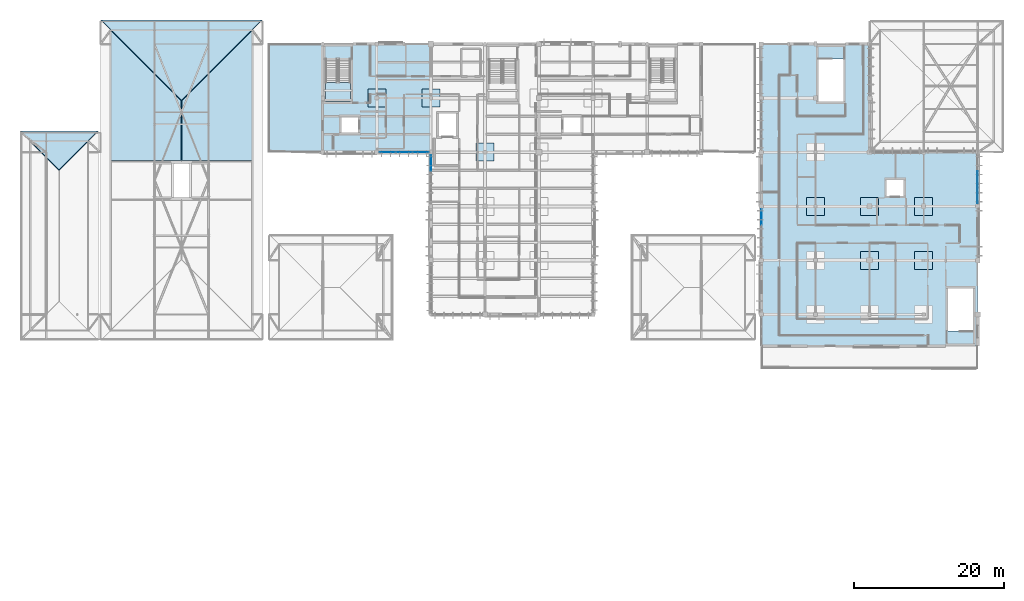
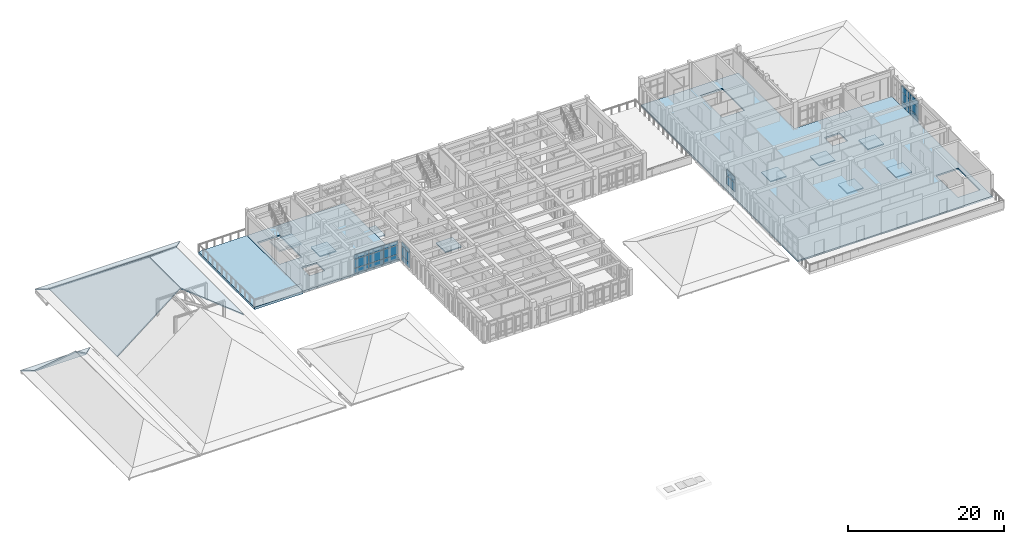
# One storey, part 25 of 51: 20 plates, 18 slabs, 7 elements without a shape of their own.
"""IFC4 building model written with IfcOpenShell, lengths in metres."""

from ifc_helpers import new_model, si_unit, direction, frame, origin, origin_2d, place, context, subcontext, project, spatial, polyline, rectangle, outline, extrude, material, layer, layer_set, type_object, element, aggregate, save


model = new_model("IFC4")

# Units and contexts
model_context = context("Model", 3, precision=1e-05, world=origin(), true_north=direction((0.0, 1.0)))
body_context = subcontext(model_context, "Body", "Model", "MODEL_VIEW")
ifc_project = project(units=[si_unit("LENGTHUNIT", "METRE"), si_unit("AREAUNIT", "SQUARE_METRE"), si_unit("VOLUMEUNIT", "CUBIC_METRE"), si_unit("PLANEANGLEUNIT", "RADIAN"), si_unit("MASSUNIT", "GRAM", prefix="KILO")], contexts=[model_context])

# Site, building, storey
site_placement = place(None, origin())
site = spatial("IfcSite", under=ifc_project, at=site_placement, CompositionType="ELEMENT")
building_placement = place(site_placement, origin())
building = spatial("IfcBuilding", under=site, at=building_placement, Name="Steenspoor Specialist Clinic", CompositionType="ELEMENT")
storey_placement = place(building_placement, frame((0.0, 0.0, 17.39990234375)))
storey = spatial("IfcBuildingStorey", under=building, at=storey_placement, Name="L04", CompositionType="ELEMENT", Elevation=17.39990234375)

# Curtain wall, plates
ifc_material_1 = material(Name="Thermally broken aluminium and low-emissivity glass", Category="aluminium")
curtain_wall_type_1 = type_object("IfcCurtainWallType", Name="CW-L00-480X415", PredefinedType="USERDEFINED", material=ifc_material_1)
curtain_wall_1_placement = place(storey_placement, origin())
curtain_wall_1 = element("IfcCurtainWall", 1, at=curtain_wall_1_placement, inside=storey, type_object=curtain_wall_type_1, Name="Unitised Curtain Wall CW-V4-L04-126", ObjectType="UNITISED GLAZING", PredefinedType="USERDEFINED")
ifc_material_2 = material(Name="Double low-emissivity insulated glass", Category="glass")
ifc_layer_1 = layer(ifc_material_2, 0.035888671875)
ifc_layer_set_1 = layer_set([ifc_layer_1], Name="Double low-emissivity insulated glass")
plate_type_1 = type_object("IfcPlateType", Name="CW-PAN-GL36", PredefinedType="CURTAIN_PANEL", material=ifc_layer_set_1)
plate_1_placement = place(storey_placement, frame((72.642578125, 93.949951171875, 0.070068359375), z_axis=(0.0, 0.0, 1.0), x_axis=(-1.0, 0.0, 0.0)))
plate_1 = element("IfcPlate", 2, at=plate_1_placement, type_object=plate_type_1, Name="CW-06 panel 1.1", PredefinedType="CURTAIN_PANEL", context=body_context, shape_type="SweptSolid", body=[
    extrude(rectangle(XDim=2.10498046875, YDim=0.035888671875, at=origin_2d()), origin(), (0.0, 0.0, 1.0), 0.794921875),
])
plate_2_placement = place(storey_placement, frame((72.642578125, 93.949951171875, 0.93505859375), z_axis=(0.0, 0.0, 1.0), x_axis=(-1.0, 0.0, 0.0)))
plate_2 = element("IfcPlate", 3, at=plate_2_placement, type_object=plate_type_1, Name="CW-06 panel 1.2", PredefinedType="CURTAIN_PANEL", context=body_context, shape_type="SweptSolid", body=[
    extrude(rectangle(XDim=2.10498046875, YDim=0.035888671875, at=origin_2d()), origin(), (0.0, 0.0, 1.0), 1.3798828125),
])
plate_3_placement = place(storey_placement, frame((72.642578125, 93.949951171875, 2.385009765625), z_axis=(0.0, 0.0, 1.0), x_axis=(-1.0, 0.0, 0.0)))
plate_3 = element("IfcPlate", 4, at=plate_3_placement, type_object=plate_type_1, Name="CW-06 panel 1.3", PredefinedType="CURTAIN_PANEL", context=body_context, shape_type="SweptSolid", body=[
    extrude(rectangle(XDim=2.10498046875, YDim=0.035888671875, at=origin_2d()), origin(), (0.0, 0.0, 1.0), 0.64501953125),
])
plate_4_placement = place(storey_placement, frame((70.4375, 93.949951171875, 0.070068359375), z_axis=(0.0, 0.0, 1.0), x_axis=(-1.0, 0.0, 0.0)))
plate_4 = element("IfcPlate", 5, at=plate_4_placement, type_object=plate_type_1, Name="CW-06 panel 2.1", PredefinedType="CURTAIN_PANEL", context=body_context, shape_type="SweptSolid", body=[
    extrude(rectangle(XDim=2.14501953125, YDim=0.035888671875, at=origin_2d()), origin(), (0.0, 0.0, 1.0), 0.794921875),
])
plate_5_placement = place(storey_placement, frame((70.4375, 93.949951171875, 0.93505859375), z_axis=(0.0, 0.0, 1.0), x_axis=(-1.0, 0.0, 0.0)))
plate_5 = element("IfcPlate", 6, at=plate_5_placement, type_object=plate_type_1, Name="CW-06 panel 2.2", PredefinedType="CURTAIN_PANEL", context=body_context, shape_type="SweptSolid", body=[
    extrude(rectangle(XDim=2.14501953125, YDim=0.035888671875, at=origin_2d()), origin(), (0.0, 0.0, 1.0), 1.3798828125),
])
plate_6_placement = place(storey_placement, frame((70.4375, 93.949951171875, 2.385009765625), z_axis=(0.0, 0.0, 1.0), x_axis=(-1.0, 0.0, 0.0)))
plate_6 = element("IfcPlate", 7, at=plate_6_placement, type_object=plate_type_1, Name="CW-06 panel 2.3", PredefinedType="CURTAIN_PANEL", context=body_context, shape_type="SweptSolid", body=[
    extrude(rectangle(XDim=2.14501953125, YDim=0.035888671875, at=origin_2d()), origin(), (0.0, 0.0, 1.0), 0.64501953125),
])
plate_7_placement = place(storey_placement, frame((68.232421875, 93.949951171875, 0.070068359375), z_axis=(0.0, 0.0, 1.0), x_axis=(-1.0, 0.0, 0.0)))
plate_7 = element("IfcPlate", 8, at=plate_7_placement, type_object=plate_type_1, Name="CW-06 panel 3.1", PredefinedType="CURTAIN_PANEL", context=body_context, shape_type="SweptSolid", body=[
    extrude(rectangle(XDim=2.10498046875, YDim=0.035888671875, at=origin_2d()), origin(), (0.0, 0.0, 1.0), 0.794921875),
])
plate_8_placement = place(storey_placement, frame((68.232421875, 93.949951171875, 0.93505859375), z_axis=(0.0, 0.0, 1.0), x_axis=(-1.0, 0.0, 0.0)))
plate_8 = element("IfcPlate", 9, at=plate_8_placement, type_object=plate_type_1, Name="CW-06 panel 3.2", PredefinedType="CURTAIN_PANEL", context=body_context, shape_type="SweptSolid", body=[
    extrude(rectangle(XDim=2.10498046875, YDim=0.035888671875, at=origin_2d()), origin(), (0.0, 0.0, 1.0), 1.3798828125),
])
plate_9_placement = place(storey_placement, frame((68.232421875, 93.949951171875, 2.385009765625), z_axis=(0.0, 0.0, 1.0), x_axis=(-1.0, 0.0, 0.0)))
plate_9 = element("IfcPlate", 10, at=plate_9_placement, type_object=plate_type_1, Name="CW-06 panel 3.3", PredefinedType="CURTAIN_PANEL", context=body_context, shape_type="SweptSolid", body=[
    extrude(rectangle(XDim=2.10498046875, YDim=0.035888671875, at=origin_2d()), origin(), (0.0, 0.0, 1.0), 0.64501953125),
])
aggregate(curtain_wall_1, [plate_1, plate_2, plate_3, plate_4, plate_5, plate_6, plate_7, plate_8, plate_9])

curtain_wall_type_2 = type_object("IfcCurtainWallType", Name="CW-TYP-420X355", PredefinedType="USERDEFINED", material=ifc_material_1)
curtain_wall_2_placement = place(storey_placement, origin())
curtain_wall_2 = element("IfcCurtainWall", 11, at=curtain_wall_2_placement, inside=storey, type_object=curtain_wall_type_2, Name="Unitised Curtain Wall CW-V6-L04-205", ObjectType="UNITISED GLAZING", PredefinedType="USERDEFINED")
ifc_material_3 = material(Name="Triple acoustic laminated low-emissivity glass", Category="glass")
ifc_layer_2 = layer(ifc_material_3, 0.048095703125)
ifc_layer_set_2 = layer_set([ifc_layer_2], Name="Triple acoustic laminated low-emissivity glass")
plate_type_2 = type_object("IfcPlateType", Name="CW-PAN-GL48", PredefinedType="CURTAIN_PANEL", material=ifc_layer_set_2)
plate_10_placement = place(storey_placement, frame((118.0, 85.330078125, 0.93994140625), z_axis=(0.0, 0.0, 1.0), x_axis=(0.0, 1.0, 0.0)))
plate_10 = element("IfcPlate", 12, at=plate_10_placement, type_object=plate_type_2, Name="CW-13 panel 3.2", PredefinedType="CURTAIN_PANEL", context=body_context, shape_type="SweptSolid", body=[
    extrude(rectangle(XDim=2.080078125, YDim=0.048095703125, at=origin_2d()), origin(), (0.0, 0.0, 1.0), 1.3701171875),
])
plate_11_placement = place(storey_placement, frame((118.0, 85.330078125, 2.39013671875), z_axis=(0.0, 0.0, 1.0), x_axis=(0.0, 1.0, 0.0)))
plate_11 = element("IfcPlate", 13, at=plate_11_placement, type_object=plate_type_2, Name="CW-13 panel 3.3", PredefinedType="CURTAIN_PANEL", context=body_context, shape_type="SweptSolid", body=[
    extrude(rectangle(XDim=2.080078125, YDim=0.048095703125, at=origin_2d()), origin(), (0.0, 0.0, 1.0), 0.909912109375),
])
aggregate(curtain_wall_2, [plate_10, plate_11])

curtain_wall_type_3 = type_object("IfcCurtainWallType", Name="CW-L00-650X415", PredefinedType="USERDEFINED", material=ifc_material_1)
curtain_wall_3_placement = place(storey_placement, origin())
curtain_wall_3 = element("IfcCurtainWall", 14, at=curtain_wall_3_placement, inside=storey, type_object=curtain_wall_type_3, Name="Unitised Curtain Wall CW-V4-L04-125", ObjectType="UNITISED GLAZING", PredefinedType="USERDEFINED")
ifc_material_4 = material(Name="Insulated glazed ceramic spandrel panel", Category="glass")
ifc_layer_3 = layer(ifc_material_4, 0.074951171875)
ifc_layer_set_3 = layer_set([ifc_layer_3], Name="Insulated glazed ceramic spandrel panel")
plate_type_3 = type_object("IfcPlateType", Name="CW-PAN-SP75", PredefinedType="CURTAIN_PANEL", material=ifc_layer_set_3)
plate_12_placement = place(storey_placement, frame((74.0, 92.53173828125, 0.080078125), z_axis=(0.0, 0.0, 1.0), x_axis=(0.0, 1.0, 0.0)))
plate_12 = element("IfcPlate", 15, at=plate_12_placement, type_object=plate_type_3, Name="CW-05 panel 3.1", PredefinedType="CURTAIN_PANEL", context=body_context, shape_type="SweptSolid", body=[
    extrude(rectangle(XDim=2.056640625, YDim=0.074951171875, at=origin_2d()), origin(), (0.0, 0.0, 1.0), 0.780029296875),
])
plate_13_placement = place(storey_placement, frame((74.0, 92.53173828125, 0.93994140625), z_axis=(0.0, 0.0, 1.0), x_axis=(0.0, 1.0, 0.0)))
plate_13 = element("IfcPlate", 16, at=plate_13_placement, type_object=plate_type_3, Name="CW-05 panel 3.2", PredefinedType="CURTAIN_PANEL", context=body_context, shape_type="SweptSolid", body=[
    extrude(rectangle(XDim=2.056640625, YDim=0.074951171875, at=origin_2d()), origin(), (0.0, 0.0, 1.0), 1.3701171875),
])
plate_14_placement = place(storey_placement, frame((74.0, 92.53173828125, 2.39013671875), z_axis=(0.0, 0.0, 1.0), x_axis=(0.0, 1.0, 0.0)))
plate_14 = element("IfcPlate", 17, at=plate_14_placement, type_object=plate_type_3, Name="CW-05 panel 3.3", PredefinedType="CURTAIN_PANEL", context=body_context, shape_type="SweptSolid", body=[
    extrude(rectangle(XDim=2.056640625, YDim=0.074951171875, at=origin_2d()), origin(), (0.0, 0.0, 1.0), 0.6298828125),
])
aggregate(curtain_wall_3, [plate_12, plate_13, plate_14])

curtain_wall_type_4 = type_object("IfcCurtainWallType", Name="CW-TYP-540X355", PredefinedType="USERDEFINED", material=ifc_material_1)
curtain_wall_4_placement = place(storey_placement, origin())
curtain_wall_4 = element("IfcCurtainWall", 18, at=curtain_wall_4_placement, inside=storey, type_object=curtain_wall_type_4, Name="Unitised Curtain Wall CW-V6-L04-203", ObjectType="UNITISED GLAZING", PredefinedType="USERDEFINED")
plate_15_placement = place(storey_placement, frame((146.800048828125, 90.362548828125, 0.06005859375), z_axis=(0.0, 0.0, 1.0), x_axis=(0.0, -1.0, 0.0)))
plate_15 = element("IfcPlate", 19, at=plate_15_placement, type_object=plate_type_3, Name="CW-11 panel 2.1", PredefinedType="CURTAIN_PANEL", context=body_context, shape_type="SweptSolid", body=[
    extrude(rectangle(XDim=2.118408203125, YDim=0.074951171875, at=origin_2d()), origin(), (0.0, 0.0, 1.0), 0.81005859375),
])
plate_16_placement = place(storey_placement, frame((146.800048828125, 90.362548828125, 0.93017578125), z_axis=(0.0, 0.0, 1.0), x_axis=(0.0, -1.0, 0.0)))
plate_16 = element("IfcPlate", 20, at=plate_16_placement, type_object=plate_type_3, Name="CW-11 panel 2.2", PredefinedType="CURTAIN_PANEL", context=body_context, shape_type="SweptSolid", body=[
    extrude(rectangle(XDim=2.118408203125, YDim=0.074951171875, at=origin_2d()), origin(), (0.0, 0.0, 1.0), 1.389892578125),
])
plate_17_placement = place(storey_placement, frame((146.800048828125, 90.362548828125, 2.380126953125), z_axis=(0.0, 0.0, 1.0), x_axis=(0.0, -1.0, 0.0)))
plate_17 = element("IfcPlate", 21, at=plate_17_placement, type_object=plate_type_3, Name="CW-11 panel 2.3", PredefinedType="CURTAIN_PANEL", context=body_context, shape_type="SweptSolid", body=[
    extrude(rectangle(XDim=2.118408203125, YDim=0.074951171875, at=origin_2d()), origin(), (0.0, 0.0, 1.0), 0.93994140625),
])
plate_18_placement = place(storey_placement, frame((146.800048828125, 88.1767578125, 0.06005859375), z_axis=(0.0, 0.0, 1.0), x_axis=(0.0, -1.0, 0.0)))
plate_18 = element("IfcPlate", 22, at=plate_18_placement, type_object=plate_type_3, Name="CW-11 panel 3.1", PredefinedType="CURTAIN_PANEL", context=body_context, shape_type="SweptSolid", body=[
    extrude(rectangle(XDim=2.0732421875, YDim=0.074951171875, at=origin_2d()), origin(), (0.0, 0.0, 1.0), 0.81005859375),
])
plate_19_placement = place(storey_placement, frame((146.800048828125, 88.1767578125, 0.93017578125), z_axis=(0.0, 0.0, 1.0), x_axis=(0.0, -1.0, 0.0)))
plate_19 = element("IfcPlate", 23, at=plate_19_placement, type_object=plate_type_3, Name="CW-11 panel 3.2", PredefinedType="CURTAIN_PANEL", context=body_context, shape_type="SweptSolid", body=[
    extrude(rectangle(XDim=2.0732421875, YDim=0.074951171875, at=origin_2d()), origin(), (0.0, 0.0, 1.0), 1.389892578125),
])
plate_20_placement = place(storey_placement, frame((146.800048828125, 88.1767578125, 2.380126953125), z_axis=(0.0, 0.0, 1.0), x_axis=(0.0, -1.0, 0.0)))
plate_20 = element("IfcPlate", 24, at=plate_20_placement, type_object=plate_type_3, Name="CW-11 panel 3.3", PredefinedType="CURTAIN_PANEL", context=body_context, shape_type="SweptSolid", body=[
    extrude(rectangle(XDim=2.0732421875, YDim=0.074951171875, at=origin_2d()), origin(), (0.0, 0.0, 1.0), 0.93994140625),
])
aggregate(curtain_wall_4, [plate_15, plate_16, plate_17, plate_18, plate_19, plate_20])

# Slabs
ifc_material_5 = material(Name="Concrete C35/45", Category="concrete")
ifc_layer_4 = layer(ifc_material_5, 0.169921875)
ifc_layer_set_4 = layer_set([ifc_layer_4], Name="Concrete C35/45")
slab_type_1 = type_object("IfcSlabType", Name="SL-DROP-170", PredefinedType="USERDEFINED", material=ifc_layer_set_4)
slab_1_placement = place(storey_placement, frame((0.0, 0.0, -0.419921875)))
element("IfcSlab", 25, at=slab_1_placement, inside=storey, type_object=slab_type_1, Name="Column Drop Panel DROP-V4-L04-074", ObjectType="DROP PANEL", PredefinedType="USERDEFINED", context=body_context, shape_type="SweptSolid", body=[
    extrude(outline(polyline([(68.0, 99.949951171875), (68.0, 102.35009765625), (65.60009765625, 102.35009765625), (65.60009765625, 99.949951171875), (68.0, 99.949951171875)])), origin(), (0.0, 0.0, 1.0), 0.169921875),
])
slab_2_placement = place(storey_placement, frame((0.0, 0.0, -0.419921875)))
element("IfcSlab", 26, at=slab_2_placement, inside=storey, type_object=slab_type_1, Name="Column Drop Panel DROP-V4-L04-075", ObjectType="DROP PANEL", PredefinedType="USERDEFINED", context=body_context, shape_type="SweptSolid", body=[
    extrude(outline(polyline([(75.199951171875, 99.949951171875), (75.199951171875, 102.35009765625), (72.800048828125, 102.35009765625), (72.800048828125, 99.949951171875), (75.199951171875, 99.949951171875)])), origin(), (0.0, 0.0, 1.0), 0.169921875),
])
slab_3_placement = place(storey_placement, frame((0.0, 0.0, -0.419921875)))
element("IfcSlab", 27, at=slab_3_placement, inside=storey, type_object=slab_type_1, Name="Column Drop Panel DROP-V4-L04-078", ObjectType="DROP PANEL", PredefinedType="USERDEFINED", context=body_context, shape_type="SweptSolid", body=[
    extrude(outline(polyline([(82.39990234375, 92.75), (82.39990234375, 95.14990234375), (80.0, 95.14990234375), (80.0, 92.75), (82.39990234375, 92.75)])), origin(), (0.0, 0.0, 1.0), 0.169921875),
])
slab_4_placement = place(storey_placement, frame((0.0, 0.0, -0.419921875)))
element("IfcSlab", 28, at=slab_4_placement, inside=storey, type_object=slab_type_1, Name="Column Drop Panel DROP-V6-L04-176", ObjectType="DROP PANEL", PredefinedType="USERDEFINED", context=body_context, shape_type="SweptSolid", body=[
    extrude(outline(polyline([(126.39990234375, 85.550048828125), (126.39990234375, 87.949951171875), (124.0, 87.949951171875), (124.0, 85.550048828125), (126.39990234375, 85.550048828125)])), origin(), (0.0, 0.0, 1.0), 0.169921875),
])
slab_5_placement = place(storey_placement, frame((0.0, 0.0, -0.419921875)))
element("IfcSlab", 29, at=slab_5_placement, inside=storey, type_object=slab_type_1, Name="Column Drop Panel DROP-V6-L04-179", ObjectType="DROP PANEL", PredefinedType="USERDEFINED", context=body_context, shape_type="SweptSolid", body=[
    extrude(outline(polyline([(133.60009765625, 78.35009765625), (133.60009765625, 80.75), (131.199951171875, 80.75), (131.199951171875, 78.35009765625), (133.60009765625, 78.35009765625)])), origin(), (0.0, 0.0, 1.0), 0.169921875),
])
slab_6_placement = place(storey_placement, frame((0.0, 0.0, -0.419921875)))
element("IfcSlab", 30, at=slab_6_placement, inside=storey, type_object=slab_type_1, Name="Column Drop Panel DROP-V6-L04-180", ObjectType="DROP PANEL", PredefinedType="USERDEFINED", context=body_context, shape_type="SweptSolid", body=[
    extrude(outline(polyline([(133.60009765625, 85.550048828125), (133.60009765625, 87.949951171875), (131.199951171875, 87.949951171875), (131.199951171875, 85.550048828125), (133.60009765625, 85.550048828125)])), origin(), (0.0, 0.0, 1.0), 0.169921875),
])
slab_7_placement = place(storey_placement, frame((0.0, 0.0, -0.419921875)))
element("IfcSlab", 31, at=slab_7_placement, inside=storey, type_object=slab_type_1, Name="Column Drop Panel DROP-V6-L04-182", ObjectType="DROP PANEL", PredefinedType="USERDEFINED", context=body_context, shape_type="SweptSolid", body=[
    extrude(outline(polyline([(140.800048828125, 78.35009765625), (140.800048828125, 80.75), (138.39990234375, 80.75), (138.39990234375, 78.35009765625), (140.800048828125, 78.35009765625)])), origin(), (0.0, 0.0, 1.0), 0.169921875),
])
slab_8_placement = place(storey_placement, frame((0.0, 0.0, -0.419921875)))
element("IfcSlab", 32, at=slab_8_placement, inside=storey, type_object=slab_type_1, Name="Column Drop Panel DROP-V6-L04-183", ObjectType="DROP PANEL", PredefinedType="USERDEFINED", context=body_context, shape_type="SweptSolid", body=[
    extrude(outline(polyline([(140.800048828125, 85.550048828125), (140.800048828125, 87.949951171875), (138.39990234375, 87.949951171875), (138.39990234375, 85.550048828125), (140.800048828125, 85.550048828125)])), origin(), (0.0, 0.0, 1.0), 0.169921875),
])
ifc_layer_5 = layer(ifc_material_5, 0.25)
ifc_layer_set_5 = layer_set([ifc_layer_5], Name="Concrete C35/45")
slab_type_2 = type_object("IfcSlabType", Name="SL-FLAT-250", PredefinedType="FLOOR", material=ifc_layer_set_5)
slab_9_placement = place(storey_placement, frame((0.0, 0.0, -0.25)))
element("IfcSlab", 33, at=slab_9_placement, inside=storey, type_object=slab_type_2, Name="Structural Slab SLAB-V4-L04-027", PredefinedType="FLOOR", context=body_context, shape_type="SweptSolid", body=[
    extrude(outline(polyline([(59.60009765625, 93.949951171875), (59.60009765625, 108.35009765625), (74.0, 108.35009765625), (74.0, 93.949951171875), (59.60009765625, 93.949951171875)]), holes=[polyline([(62.074951171875, 96.550048828125), (64.324951171875, 96.550048828125), (64.324951171875, 98.64990234375), (62.074951171875, 98.64990234375), (62.074951171875, 96.550048828125)]), polyline([(60.0, 100.699951171875), (63.300048828125, 100.699951171875), (63.300048828125, 106.35009765625), (60.0, 106.35009765625), (60.0, 100.699951171875)])]), origin(), (0.0, 0.0, 1.0), 0.25),
])
slab_10_placement = place(storey_placement, frame((0.0, 0.0, -0.25)))
element("IfcSlab", 34, at=slab_10_placement, inside=storey, type_object=slab_type_2, Name="Structural Slab SLAB-V6-L04-053", PredefinedType="FLOOR", context=body_context, shape_type="SweptSolid", body=[
    extrude(outline(polyline([(118.0, 68.14990234375), (118.0, 93.949951171875), (118.0, 108.35009765625), (132.39990234375, 108.35009765625), (132.39990234375, 93.949951171875), (146.800048828125, 93.949951171875), (146.800048828125, 68.14990234375), (118.0, 68.14990234375)]), holes=[polyline([(142.85009765625, 70.14990234375), (146.14990234375, 70.14990234375), (146.14990234375, 75.800048828125), (142.85009765625, 75.800048828125), (142.85009765625, 70.14990234375)]), polyline([(134.675048828125, 88.14990234375), (136.925048828125, 88.14990234375), (136.925048828125, 90.25), (134.675048828125, 90.25), (134.675048828125, 88.14990234375)]), polyline([(125.60009765625, 106.35009765625), (125.60009765625, 100.699951171875), (128.89990234375, 100.699951171875), (128.89990234375, 106.35009765625), (125.60009765625, 106.35009765625)])]), origin(), (0.0, 0.0, 1.0), 0.25),
])
ifc_layer_6 = layer(ifc_material_5, 0.3798828125)
ifc_layer_set_6 = layer_set([ifc_layer_6], Name="Concrete C35/45")
slab_type_3 = type_object("IfcSlabType", Name="SL-GARDEN-380", PredefinedType="FLOOR", material=ifc_layer_set_6)
slab_11_placement = place(storey_placement, frame((0.0, 0.0, -0.3798828125)))
element("IfcSlab", 35, at=slab_11_placement, inside=storey, type_object=slab_type_3, Name="Planted Roof Terrace Slab TERR-V4-L04-01", PredefinedType="FLOOR", context=body_context, shape_type="SweptSolid", body=[
    extrude(outline(polyline([(59.60009765625, 93.949951171875), (59.60009765625, 108.35009765625), (52.39990234375, 108.35009765625), (52.39990234375, 93.949951171875), (59.60009765625, 93.949951171875)])), origin(), (0.0, 0.0, 1.0), 0.3798828125),
])

# Stair, slab
stair_type = type_object("IfcStairType", Name="ST-CORE-TYP", PredefinedType="HALF_TURN_STAIR", material=ifc_material_5)
stair_placement = place(storey_placement, origin())
stair = element("IfcStair", 36, at=stair_placement, inside=storey, type_object=stair_type, Name="L04 Enclosed Exit Stair ST-V4A", PredefinedType="HALF_TURN_STAIR")
ifc_layer_7 = layer(ifc_material_5, 0.199951171875)
ifc_layer_set_7 = layer_set([ifc_layer_7], Name="Concrete C35/45")
slab_type_4 = type_object("IfcSlabType", Name="SL-LAND-200", PredefinedType="LANDING", material=ifc_layer_set_7)
slab_12_placement = place(storey_placement, frame((0.0, 0.0, 1.900146484375)))
slab_12 = element("IfcSlab", 37, at=slab_12_placement, type_object=slab_type_4, Name="ST-V4A landing 1", PredefinedType="LANDING", context=body_context, shape_type="SweptSolid", body=[
    extrude(outline(polyline([(60.0, 103.215087890625), (60.0, 100.699951171875), (63.300048828125, 100.699951171875), (63.300048828125, 103.215087890625), (60.0, 103.215087890625)])), origin(), (0.0, 0.0, 1.0), 0.199951171875),
])
aggregate(stair, [slab_12])

# Roof, slabs
ifc_material_6 = material(Name="Extruded terracotta clay roof tile", Category="masonry")
roof_type = type_object("IfcRoofType", Name="ROOF-HIP-TIER", PredefinedType="HIP_ROOF", material=ifc_material_6)
roof_1_placement = place(storey_placement, origin())
roof_1 = element("IfcRoof", 38, at=roof_1_placement, inside=storey, type_object=roof_type, Name="Tiered Hipped Roof V5", PredefinedType="HIP_ROOF")
ifc_layer_8 = layer(ifc_material_5, 0.14990234375)
ifc_layer_set_8 = layer_set([ifc_layer_8], Name="Concrete C35/45")
slab_type_5 = type_object("IfcSlabType", Name="SL-ROOF-150", PredefinedType="ROOF", material=ifc_layer_set_8)
slab_13_placement = place(storey_placement, frame((50.169677734375, 110.208984375, 0.33447265625), z_axis=(0.0, 0.241995280227, 0.970277426486), x_axis=(0.696295200328, 0.696421983868, -0.173693449463)))
slab_13 = element("IfcSlab", 39, at=slab_13_placement, type_object=slab_type_5, Name="Hipped Roof Slab RSLAB-V5-SKN", PredefinedType="ROOF", context=body_context, shape_type="SweptSolid", body=[
    extrude(outline(polyline([(0.0, 0.0), (1.9256492244505445, -5.551115123125783e-17), (-12.989789538236874, 15.375143442221324), (-13.048055272550297, 13.450205833659748), (0.0, 0.0)])), origin(), (0.0, 0.0, -1.0), 0.14990234375),
])
slab_14_placement = place(storey_placement, frame((31.388916015625, 110.131591796875, 0.34375), z_axis=(-0.621004229435, 0.0, 0.783807212919), x_axis=(0.0, -1.0, 0.0)))
slab_14 = element("IfcSlab", 40, at=slab_14_placement, type_object=slab_type_5, Name="Hipped Roof Slab RSLAB-V5-W2", PredefinedType="ROOF", context=body_context, shape_type="SweptSolid", body=[
    extrude(outline(polyline([(0.0, 0.0), (17.279541015625, 0.0), (17.279541015625, 11.953373827868775), (9.368896484375, 11.953373827868775), (0.0, 0.0)])), origin(), (0.0, 0.0, -1.0), 0.14990234375),
])
slab_15_placement = place(storey_placement, frame((40.842041015625, 100.7626953125, 7.766845703125), z_axis=(0.621014171077, 0.0, 0.783799336132), x_axis=(0.0, -1.0, 0.0)))
slab_15 = element("IfcSlab", 41, at=slab_15_placement, type_object=slab_type_5, Name="Hipped Roof Slab RSLAB-V5-E2", PredefinedType="ROOF", context=body_context, shape_type="SweptSolid", body=[
    extrude(outline(polyline([(0.0, 0.0), (7.91064453125, 0.0), (7.91064453125, 11.95318246964745), (-9.368896484375, 11.95318246964745), (0.0, 0.0)])), origin(), (0.0, 0.0, -1.0), 0.14990234375),
])
slab_16_placement = place(storey_placement, frame((40.800048828125, 100.83935546875, 7.7529296875), z_axis=(0.0, 0.621004795501, 0.783806764429), x_axis=(0.616892867191, 0.616892867191, -0.488760044212)))
slab_16 = element("IfcSlab", 42, at=slab_16_placement, type_object=slab_type_5, Name="Hipped Roof Slab RSLAB-V5-N", PredefinedType="ROOF", context=body_context, shape_type="SweptSolid", body=[
    extrude(outline(polyline([(0.0, 0.0), (15.159135398315932, -4.440892098500626e-16), (3.6213109916388198, 14.72024091943848), (0.0, 0.0)])), origin(), (0.0, 0.0, -1.0), 0.14990234375),
])
aggregate(roof_1, [slab_13, slab_14, slab_15, slab_16])

roof_2_placement = place(storey_placement, origin())
roof_2 = element("IfcRoof", 43, at=roof_2_placement, inside=storey, type_object=roof_type, Name="Tiered Hipped Roof V5W", PredefinedType="HIP_ROOF")
slab_17_placement = place(storey_placement, frame((28.319580078125, 95.408935546875, 0.33447265625), z_axis=(0.0, 0.241995280227, 0.970277426486), x_axis=(0.696360507135, 0.696360507135, -0.173678116653)))
slab_17 = element("IfcSlab", 44, at=slab_17_placement, type_object=slab_type_5, Name="Hipped Roof Slab RSLAB-V5W-SKN", PredefinedType="ROOF", context=body_context, shape_type="SweptSolid", body=[
    extrude(outline(polyline([(0.0, 0.0), (1.9258192263683114, -5.551115123125783e-17), (-5.247578048551698, 7.393140434999851), (-5.305668629561162, 5.468197532717338), (0.0, 0.0)])), origin(), (0.0, 0.0, -1.0), 0.14990234375),
])
slab_18_placement = place(storey_placement, frame((24.510009765625, 91.599365234375, 4.337646484375), z_axis=(0.0, 0.725011612587, 0.688736641696), x_axis=(0.567195429008, 0.567231951573, -0.597107409456)))
slab_18 = element("IfcSlab", 45, at=slab_18_placement, type_object=slab_type_5, Name="Hipped Roof Slab RSLAB-V5W-N", PredefinedType="ROOF", context=body_context, shape_type="SweptSolid", body=[
    extrude(outline(polyline([(0.0, 0.0), (6.684651730851746, 4.440892098500626e-16), (2.3836043614692537, 6.245238106810979), (0.0, 0.0)])), origin(), (0.0, 0.0, -1.0), 0.14990234375),
])
aggregate(roof_2, [slab_17, slab_18])

save(model, "model.ifc")
